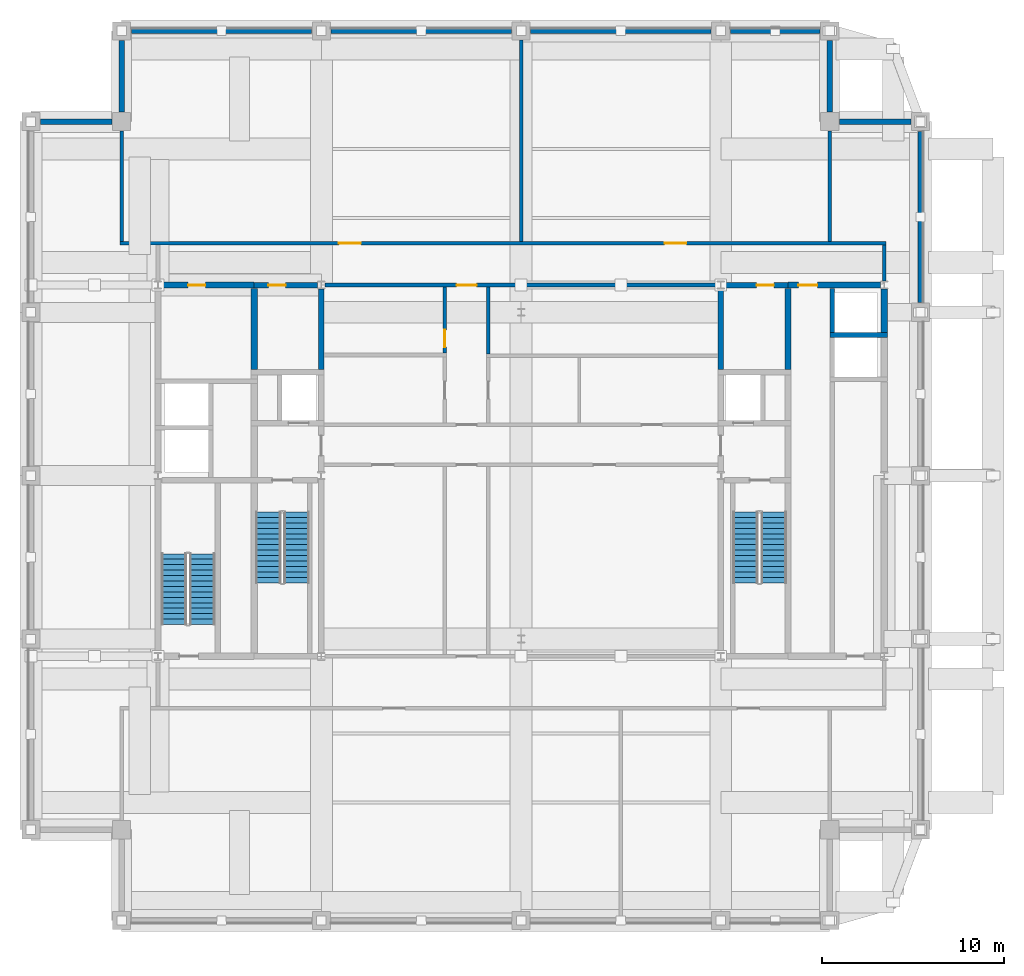
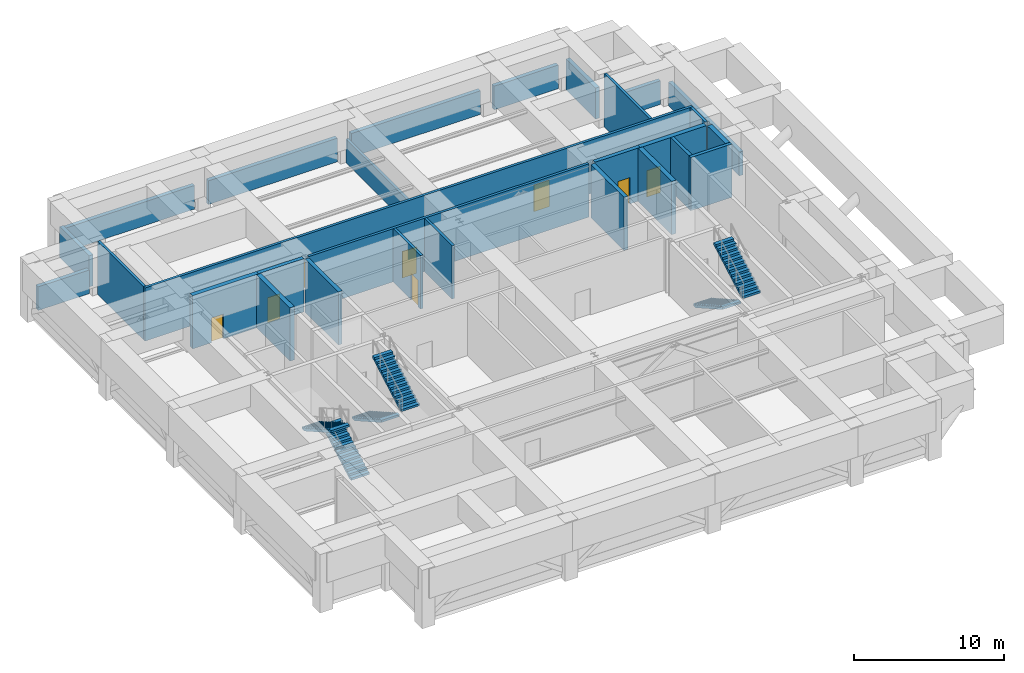
# One storey, part 5 of 9: 28 walls, 8 doors, 6 stair flights, 8 openings, 3 elements without a shape of their own.
"""IFC4 building model written with IfcOpenShell, lengths in metres."""

from ifc_helpers import new_model, si_unit, direction, frame, frame_2d, origin, place, context, subcontext, project, spatial, polyline, rectangle, outline, extrude, material, layer, layer_set, type_object, element, fill, aggregate, save


model = new_model("IFC4")

# Units and contexts
model_context = context("Model", 3, precision=1e-05, world=origin(), true_north=direction((0.0, 1.0)))
body_context = subcontext(model_context, "Body", "Model", "MODEL_VIEW")
ifc_project = project(units=[si_unit("LENGTHUNIT", "METRE"), si_unit("AREAUNIT", "SQUARE_METRE"), si_unit("VOLUMEUNIT", "CUBIC_METRE"), si_unit("PLANEANGLEUNIT", "RADIAN"), si_unit("MASSUNIT", "GRAM", prefix="KILO")], contexts=[model_context])

# Site, building, storey
site_placement = place(None, origin())
site = spatial("IfcSite", under=ifc_project, at=site_placement, CompositionType="ELEMENT")
building_placement = place(site_placement, origin())
building = spatial("IfcBuilding", under=site, at=building_placement, Name="Zulmaris Gate Convention Tower", CompositionType="ELEMENT")
storey_placement = place(building_placement, frame((0.0, 0.0, 222.06005859375)))
storey = spatial("IfcBuildingStorey", under=building, at=storey_placement, Name="L58", CompositionType="ELEMENT", Elevation=222.06005859375)

# Walls
ifc_material_1 = material(Name="Concrete C50/60", Category="concrete")
ifc_layer_1 = layer(ifc_material_1, 0.25, Name="Concrete C50/60")
ifc_layer_set_1 = layer_set([ifc_layer_1], Name="Concrete C50/60")
wall_type_1 = type_object("IfcWallType", Name="CORE-250", PredefinedType="SOLIDWALL", material=ifc_layer_set_1)
wall_1_placement = place(storey_placement, frame((17.02490234375, 7.75, 0.0), z_axis=(0.0, 0.0, 1.0), x_axis=(1.0, 0.0, 0.0)))
element("IfcWall", 1, at=wall_1_placement, inside=storey, type_object=wall_type_1, Name="WL-L58-014", PredefinedType="SOLIDWALL", context=body_context, shape_type="SweptSolid", body=[
    extrude(rectangle(XDim=3.150146484375, YDim=0.25, at=frame_2d((1.5751953125, 0.0))), origin(), (0.0, 0.0, 1.0), 4.3349609375),
])
wall_2_placement = place(storey_placement, frame((17.14990234375, 7.876953125, 0.0), z_axis=(0.0, 0.0, 1.0), x_axis=(0.0, 1.0, 0.0)))
element("IfcWall", 2, at=wall_2_placement, inside=storey, type_object=wall_type_1, Name="WL-L58-057", PredefinedType="SOLIDWALL", context=body_context, shape_type="SweptSolid", body=[
    extrude(rectangle(XDim=2.446044921875, YDim=0.25, at=frame_2d((1.22314453125, 0.0))), origin(), (0.0, 0.0, 1.0), 4.3349609375),
])

# Wall, opening, door
ifc_layer_2 = layer(ifc_material_1, 0.300048828125, Name="Concrete C50/60")
ifc_layer_set_2 = layer_set([ifc_layer_2], Name="Concrete C50/60")
wall_type_2 = type_object("IfcWallType", Name="CORE-300", PredefinedType="SHEAR", material=ifc_layer_set_2)
wall_3_placement = place(storey_placement, frame((-14.699951171875, 10.5, 0.0), z_axis=(0.0, 0.0, 1.0), x_axis=(1.0, 0.0, 0.0)))
wall_3 = element("IfcWall", 3, at=wall_3_placement, inside=storey, type_object=wall_type_2, Name="WL-L58-016", PredefinedType="SHEAR", context=body_context, shape_type="SweptSolid", body=[
    extrude(rectangle(XDim=3.489990234375, YDim=0.300048828125, at=frame_2d((1.7451171875, 0.0))), origin(), (0.0, 0.0, 1.0), 4.3349609375),
])
opening_1_placement = place(wall_3_placement, frame((0.77490234375, 0.0, 0.0)))
opening_1 = element("IfcOpeningElement", 4, at=opening_1_placement, cuts=wall_3, Name="Opening D-25", PredefinedType="OPENING", context=body_context, shape_type="SweptSolid", body=[
    extrude(rectangle(XDim=0.949951171875, YDim=2.02001953125, at=frame_2d((0.47509765625, 1.010009765625))), frame((0.0, 0.16015625, 0.0), z_axis=(0.0, -1.0, 0.0), x_axis=(1.0, 0.0, 0.0)), (0.0, 0.0, 1.0), 0.320068359375),
])
ifc_material_2 = material(Name="Fire-Rated Steel", Category="steel")
door_type_1 = type_object("IfcDoorType", Name="DR-950-LOW-FD", OperationType="NOTDEFINED", PredefinedType="DOOR", material=ifc_material_2)
door_1_placement = place(opening_1_placement, origin())
door_1 = element("IfcDoor", 5, at=door_1_placement, inside=storey, type_object=door_type_1, Name="L58 Core Pantry Door 07", OperationType="SINGLE_SWING_LEFT", OverallHeight=2.02001953125, OverallWidth=0.949951171875, PredefinedType="DOOR", context=body_context, shape_type="SweptSolid", body=[
    extrude(rectangle(XDim=0.949951171875, YDim=2.02001953125, at=frame_2d((0.47509765625, 1.010009765625))), frame((0.0, 0.02490234375, 0.0), z_axis=(0.0, -1.0, 0.0), x_axis=(1.0, 0.0, 0.0)), (0.0, 0.0, 1.0), 0.050048828125),
])
fill(opening_1, door_1)

wall_4_placement = place(storey_placement, frame((11.2099609375, 10.5, 0.0), z_axis=(0.0, 0.0, 1.0), x_axis=(1.0, 0.0, 0.0)))
wall_4 = element("IfcWall", 6, at=wall_4_placement, inside=storey, type_object=wall_type_2, Name="WL-L58-017", PredefinedType="SHEAR", context=body_context, shape_type="SweptSolid", body=[
    extrude(rectangle(XDim=3.489990234375, YDim=0.300048828125, at=frame_2d((1.7451171875, 0.0))), origin(), (0.0, 0.0, 1.0), 4.3349609375),
])
opening_2_placement = place(wall_4_placement, frame((1.764892578125, 0.0, 0.0)))
opening_2 = element("IfcOpeningElement", 7, at=opening_2_placement, cuts=wall_4, Name="Opening D-11", PredefinedType="OPENING", context=body_context, shape_type="SweptSolid", body=[
    extrude(rectangle(XDim=0.949951171875, YDim=2.14990234375, at=frame_2d((0.47509765625, 1.074951171875))), frame((0.0, 0.16015625, 0.0), z_axis=(0.0, -1.0, 0.0), x_axis=(1.0, 0.0, 0.0)), (0.0, 0.0, 1.0), 0.320068359375),
])
ifc_material_3 = material(Name="Fire-Rated Timber", Category="wood")
door_type_2 = type_object("IfcDoorType", Name="DR-950-FD", OperationType="NOTDEFINED", PredefinedType="DOOR", material=ifc_material_3)
door_2_placement = place(opening_2_placement, origin())
door_2 = element("IfcDoor", 8, at=door_2_placement, inside=storey, type_object=door_type_2, Name="L58 Core Cleaners Store Door 08", OperationType="SINGLE_SWING_RIGHT", OverallHeight=2.14990234375, OverallWidth=0.949951171875, PredefinedType="DOOR", context=body_context, shape_type="SweptSolid", body=[
    extrude(rectangle(XDim=0.949951171875, YDim=2.14990234375, at=frame_2d((0.47509765625, 1.074951171875))), frame((0.0, 0.02490234375, 0.0), z_axis=(0.0, -1.0, 0.0), x_axis=(1.0, 0.0, 0.0)), (0.0, 0.0, 1.0), 0.050048828125),
])
fill(opening_2, door_2)

# Walls
for number, where, z_axis, x_axis, name in (
    (9, (-11.0, 5.85205078125, 0.0), (0.0, 0.0, 1.0), (0.0, 1.0, 0.0), "WL-L58-044"),
    (10, (11.0, 5.85205078125, 0.0), (0.0, 0.0, 1.0), (0.0, 1.0, 0.0), "WL-L58-048"),
):
    element("IfcWall", number, at=place(storey_placement, frame(where, z_axis=z_axis, x_axis=x_axis)), inside=storey, type_object=wall_type_2, Name=name, PredefinedType="SHEAR", context=body_context, shape_type="SweptSolid", body=[
        extrude(rectangle(XDim=4.426513671875, YDim=0.300048828125, at=frame_2d((2.21337890625, 0.0))), origin(), (0.0, 0.0, 1.0), 4.3349609375),
    ])

# Wall, opening, door
ifc_material_4 = material(Name="Concrete C55/67", Category="concrete")
ifc_layer_3 = layer(ifc_material_4, 0.35009765625, Name="Concrete C55/67")
ifc_layer_set_3 = layer_set([ifc_layer_3], Name="Concrete C55/67")
wall_type_3 = type_object("IfcWallType", Name="CORE-350", PredefinedType="SHEAR", material=ifc_layer_set_3)
wall_5_placement = place(storey_placement, frame((-19.7900390625, 10.5, 0.0), z_axis=(0.0, 0.0, 1.0), x_axis=(1.0, 0.0, 0.0)))
wall_5 = element("IfcWall", 11, at=wall_5_placement, inside=storey, type_object=wall_type_3, Name="WL-L58-015", PredefinedType="SHEAR", context=body_context, shape_type="SweptSolid", body=[
    extrude(rectangle(XDim=5.090087890625, YDim=0.35009765625, at=frame_2d((2.544921875, 0.0))), origin(), (0.0, 0.0, 1.0), 4.3349609375),
])
opening_3_placement = place(wall_5_placement, frame((1.445068359375, 0.0, 0.0)))
opening_3 = element("IfcOpeningElement", 12, at=opening_3_placement, cuts=wall_5, Name="Opening D-25", PredefinedType="OPENING", context=body_context, shape_type="SweptSolid", body=[
    extrude(rectangle(XDim=0.949951171875, YDim=2.02001953125, at=frame_2d((0.47509765625, 1.010009765625))), frame((0.0, 0.18505859375, 0.0), z_axis=(0.0, -1.0, 0.0), x_axis=(1.0, 0.0, 0.0)), (0.0, 0.0, 1.0), 0.3701171875),
])
door_3_placement = place(opening_3_placement, origin())
door_3 = element("IfcDoor", 13, at=door_3_placement, inside=storey, type_object=door_type_1, Name="L58 West Core Mechanical Store Door 10", OperationType="SINGLE_SWING_RIGHT", OverallHeight=2.02001953125, OverallWidth=0.949951171875, PredefinedType="DOOR", context=body_context, shape_type="SweptSolid", body=[
    extrude(rectangle(XDim=0.949951171875, YDim=2.02001953125, at=frame_2d((0.47509765625, 1.010009765625))), frame((0.0, 0.02490234375, 0.0), z_axis=(0.0, -1.0, 0.0), x_axis=(1.0, 0.0, 0.0)), (0.0, 0.0, 1.0), 0.050048828125),
])
fill(opening_3, door_3)

wall_6_placement = place(storey_placement, frame((14.699951171875, 10.5, 0.0), z_axis=(0.0, 0.0, 1.0), x_axis=(1.0, 0.0, 0.0)))
wall_6 = element("IfcWall", 14, at=wall_6_placement, inside=storey, type_object=wall_type_3, Name="WL-L58-018", PredefinedType="SHEAR", context=body_context, shape_type="SweptSolid", body=[
    extrude(rectangle(XDim=5.090087890625, YDim=0.35009765625, at=frame_2d((2.544921875, 0.0))), origin(), (0.0, 0.0, 1.0), 4.3349609375),
])
opening_4_placement = place(wall_6_placement, frame((0.574951171875, 0.0, 0.0)))
opening_4 = element("IfcOpeningElement", 15, at=opening_4_placement, cuts=wall_6, Name="Opening D-09", PredefinedType="OPENING", context=body_context, shape_type="SweptSolid", body=[
    extrude(rectangle(XDim=1.050048828125, YDim=2.14990234375, at=frame_2d((0.52490234375, 1.074951171875))), frame((0.0, 0.18505859375, 0.0), z_axis=(0.0, -1.0, 0.0), x_axis=(1.0, 0.0, 0.0)), (0.0, 0.0, 1.0), 0.3701171875),
])
door_type_3 = type_object("IfcDoorType", Name="DR-1050-FD", OperationType="NOTDEFINED", PredefinedType="DOOR", material=ifc_material_2)
door_4_placement = place(opening_4_placement, origin())
door_4 = element("IfcDoor", 16, at=door_4_placement, inside=storey, type_object=door_type_3, Name="L58 East Mechanical Riser Door 11", OperationType="SINGLE_SWING_LEFT", OverallHeight=2.14990234375, OverallWidth=1.050048828125, PredefinedType="DOOR", context=body_context, shape_type="SweptSolid", body=[
    extrude(rectangle(XDim=1.050048828125, YDim=2.14990234375, at=frame_2d((0.52490234375, 1.074951171875))), frame((0.0, 0.02490234375, 0.0), z_axis=(0.0, -1.0, 0.0), x_axis=(1.0, 0.0, 0.0)), (0.0, 0.0, 1.0), 0.050048828125),
])
fill(opening_4, door_4)

# Walls
for number, where, z_axis, x_axis, name in (
    (17, (-14.699951171875, 5.85205078125, 0.0), (0.0, 0.0, 1.0), (0.0, 1.0, 0.0), "WL-L58-038"),
    (18, (14.699951171875, 5.85205078125, 0.0), (0.0, 0.0, 1.0), (0.0, 1.0, 0.0), "WL-L58-054"),
):
    element("IfcWall", number, at=place(storey_placement, frame(where, z_axis=z_axis, x_axis=x_axis)), inside=storey, type_object=wall_type_3, Name=name, PredefinedType="SHEAR", context=body_context, shape_type="SweptSolid", body=[
        extrude(rectangle(XDim=4.470947265625, YDim=0.35009765625, at=frame_2d((2.2353515625, 0.0))), origin(), (0.0, 0.0, 1.0), 4.3349609375),
    ])
wall_7_placement = place(storey_placement, frame((20.0, 7.876953125, 0.0), z_axis=(0.0, 0.0, 1.0), x_axis=(0.0, 1.0, 0.0)))
element("IfcWall", 19, at=wall_7_placement, inside=storey, type_object=wall_type_3, Name="WL-L58-060", PredefinedType="SHEAR", context=body_context, shape_type="SweptSolid", body=[
    extrude(rectangle(XDim=2.401611328125, YDim=0.35009765625, at=frame_2d((1.20068359375, 0.0))), origin(), (0.0, 0.0, 1.0), 4.3349609375),
])

# Wall, opening, door
ifc_material_5 = material(Name="Autoclaved Aerated Concrete Block and Plasterboard", Category="concrete")
ifc_layer_4 = layer(ifc_material_5, 0.199951171875, Name="Autoclaved Aerated Concrete Block and Plasterboard")
ifc_layer_set_4 = layer_set([ifc_layer_4], Name="Autoclaved Aerated Concrete Block and Plasterboard")
wall_type_4 = type_object("IfcWallType", Name="PART-200", PredefinedType="PARTITIONING", material=ifc_layer_set_4)
wall_8_placement = place(storey_placement, frame((-10.7880859375, 10.5, 0.0), z_axis=(0.0, 0.0, 1.0), x_axis=(1.0, 0.0, 0.0)))
wall_8 = element("IfcWall", 20, at=wall_8_placement, inside=storey, type_object=wall_type_4, Name="WL-L58-025", PredefinedType="PARTITIONING", context=body_context, shape_type="SweptSolid", body=[
    extrude(rectangle(XDim=21.576171875, YDim=0.199951171875, at=frame_2d((10.7880859375, 0.0))), origin(), (0.0, 0.0, 1.0), 4.3349609375),
])
opening_5_placement = place(wall_8_placement, frame((7.238037109375, 0.0, 0.0)))
opening_5 = element("IfcOpeningElement", 21, at=opening_5_placement, cuts=wall_8, Name="Opening D-08", PredefinedType="OPENING", context=body_context, shape_type="SweptSolid", body=[
    extrude(rectangle(XDim=1.10009765625, YDim=2.14990234375, at=frame_2d((0.550048828125, 1.074951171875))), frame((0.0, 0.10986328125, 0.0), z_axis=(0.0, -1.0, 0.0), x_axis=(1.0, 0.0, 0.0)), (0.0, 0.0, 1.0), 0.219970703125),
])
door_type_4 = type_object("IfcDoorType", Name="DR-1100-FD", OperationType="NOTDEFINED", PredefinedType="DOOR", material=ifc_material_2)
door_5_placement = place(opening_5_placement, origin())
door_5 = element("IfcDoor", 22, at=door_5_placement, inside=storey, type_object=door_type_4, Name="L58 North Cross Corridor Link Door 14", OperationType="SINGLE_SWING_RIGHT", OverallHeight=2.14990234375, OverallWidth=1.10009765625, PredefinedType="DOOR", context=body_context, shape_type="SweptSolid", body=[
    extrude(rectangle(XDim=1.10009765625, YDim=2.14990234375, at=frame_2d((0.550048828125, 1.074951171875))), frame((0.0, 0.02490234375, 0.0), z_axis=(0.0, -1.0, 0.0), x_axis=(1.0, 0.0, 0.0)), (0.0, 0.0, 1.0), 0.050048828125),
])
fill(opening_5, door_5)

# Wall, openings, doors
wall_9_placement = place(storey_placement, frame((-22.10009765625, 12.800048828125, 0.0), z_axis=(0.0, 0.0, 1.0), x_axis=(1.0, 0.0, 0.0)))
wall_9 = element("IfcWall", 23, at=wall_9_placement, inside=storey, type_object=wall_type_4, Name="WL-L58-026", PredefinedType="PARTITIONING", context=body_context, shape_type="SweptSolid", body=[
    extrude(rectangle(XDim=42.2001953125, YDim=0.199951171875, at=frame_2d((21.10009765625, 0.0))), origin(), (0.0, 0.0, 1.0), 4.3349609375),
])
opening_6_placement = place(wall_9_placement, frame((12.070068359375, 0.0, 0.0)))
opening_6 = element("IfcOpeningElement", 24, at=opening_6_placement, cuts=wall_9, Name="Opening D-13", PredefinedType="OPENING", context=body_context, shape_type="SweptSolid", body=[
    extrude(rectangle(XDim=1.199951171875, YDim=2.14990234375, at=frame_2d((0.60009765625, 1.074951171875))), frame((0.0, 0.10986328125, 0.0), z_axis=(0.0, -1.0, 0.0), x_axis=(1.0, 0.0, 0.0)), (0.0, 0.0, 1.0), 0.219970703125),
])
opening_7_placement = place(wall_9_placement, frame((30.0, 0.0, 0.0)))
opening_7 = element("IfcOpeningElement", 25, at=opening_7_placement, cuts=wall_9, Name="Opening D-13", PredefinedType="OPENING", context=body_context, shape_type="SweptSolid", body=[
    extrude(rectangle(XDim=1.199951171875, YDim=2.14990234375, at=frame_2d((0.60009765625, 1.074951171875))), frame((0.0, 0.10986328125, 0.0), z_axis=(0.0, -1.0, 0.0), x_axis=(1.0, 0.0, 0.0)), (0.0, 0.0, 1.0), 0.219970703125),
])
door_type_5 = type_object("IfcDoorType", Name="DR-1200-FD", OperationType="NOTDEFINED", PredefinedType="DOOR", material=ifc_material_2)
door_6_placement = place(opening_6_placement, origin())
door_6 = element("IfcDoor", 26, at=door_6_placement, inside=storey, type_object=door_type_5, Name="L58 Chiller Plant Door 19", OperationType="SINGLE_SWING_LEFT", OverallHeight=2.14990234375, OverallWidth=1.199951171875, PredefinedType="DOOR", context=body_context, shape_type="SweptSolid", body=[
    extrude(rectangle(XDim=1.199951171875, YDim=2.14990234375, at=frame_2d((0.60009765625, 1.074951171875))), frame((0.0, 0.02490234375, 0.0), z_axis=(0.0, -1.0, 0.0), x_axis=(1.0, 0.0, 0.0)), (0.0, 0.0, 1.0), 0.050048828125),
])
fill(opening_6, door_6)
door_7_placement = place(opening_7_placement, origin())
door_7 = element("IfcDoor", 27, at=door_7_placement, inside=storey, type_object=door_type_5, Name="L58 AHU Plant Door 20", OperationType="SINGLE_SWING_RIGHT", OverallHeight=2.14990234375, OverallWidth=1.199951171875, PredefinedType="DOOR", context=body_context, shape_type="SweptSolid", body=[
    extrude(rectangle(XDim=1.199951171875, YDim=2.14990234375, at=frame_2d((0.60009765625, 1.074951171875))), frame((0.0, 0.02490234375, 0.0), z_axis=(0.0, -1.0, 0.0), x_axis=(1.0, 0.0, 0.0)), (0.0, 0.0, 1.0), 0.050048828125),
])
fill(opening_7, door_7)

# Wall
wall_10_placement = place(storey_placement, frame((-22.0, 12.903076171875, 0.0), z_axis=(0.0, 0.0, 1.0), x_axis=(0.0, 1.0, 0.0)))
element("IfcWall", 28, at=wall_10_placement, inside=storey, type_object=wall_type_4, Name="WL-L58-062", PredefinedType="PARTITIONING", context=body_context, shape_type="SweptSolid", body=[
    extrude(rectangle(XDim=6.0908203125, YDim=0.199951171875, at=frame_2d((3.04541015625, 0.0))), origin(), (0.0, 0.0, 1.0), 4.3349609375),
])

# Wall, opening, door
wall_11_placement = place(storey_placement, frame((-4.199951171875, 6.7529296875, 0.0), z_axis=(0.0, 0.0, 1.0), x_axis=(0.0, 1.0, 0.0)))
wall_11 = element("IfcWall", 29, at=wall_11_placement, inside=storey, type_object=wall_type_4, Name="WL-L58-067", PredefinedType="PARTITIONING", context=body_context, shape_type="SweptSolid", body=[
    extrude(rectangle(XDim=3.64404296875, YDim=0.199951171875, at=frame_2d((1.822021484375, 0.0))), origin(), (0.0, 0.0, 1.0), 4.3349609375),
])
opening_8_placement = place(wall_11_placement, frame((0.322021484375, 0.0, 0.0)))
opening_8 = element("IfcOpeningElement", 30, at=opening_8_placement, cuts=wall_11, Name="Opening D-11", PredefinedType="OPENING", context=body_context, shape_type="SweptSolid", body=[
    extrude(rectangle(XDim=0.949951171875, YDim=2.14990234375, at=frame_2d((0.47509765625, 1.074951171875))), frame((0.0, 0.10986328125, 0.0), z_axis=(0.0, -1.0, 0.0), x_axis=(1.0, 0.0, 0.0)), (0.0, 0.0, 1.0), 0.219970703125),
])
door_8_placement = place(opening_8_placement, origin())
door_8 = element("IfcDoor", 31, at=door_8_placement, inside=storey, type_object=door_type_2, Name="L58 Smoke Fan Plant Door 24", OperationType="SINGLE_SWING_RIGHT", OverallHeight=2.14990234375, OverallWidth=0.949951171875, PredefinedType="DOOR", context=body_context, shape_type="SweptSolid", body=[
    extrude(rectangle(XDim=0.949951171875, YDim=2.14990234375, at=frame_2d((0.47509765625, 1.074951171875))), frame((0.0, 0.02490234375, 0.0), z_axis=(0.0, -1.0, 0.0), x_axis=(1.0, 0.0, 0.0)), (0.0, 0.0, 1.0), 0.050048828125),
])
fill(opening_8, door_8)

# Walls
wall_12_placement = place(storey_placement, frame((-1.800048828125, 6.702880859375, 0.0), z_axis=(0.0, 0.0, 1.0), x_axis=(0.0, 1.0, 0.0)))
element("IfcWall", 32, at=wall_12_placement, inside=storey, type_object=wall_type_4, Name="WL-L58-070", PredefinedType="PARTITIONING", context=body_context, shape_type="SweptSolid", body=[
    extrude(rectangle(XDim=3.694091796875, YDim=0.199951171875, at=frame_2d((1.84716796875, 0.0))), origin(), (0.0, 0.0, 1.0), 4.3349609375),
])
wall_13_placement = place(storey_placement, frame((0.0, 12.903076171875, 0.0), z_axis=(0.0, 0.0, 1.0), x_axis=(0.0, 1.0, 0.0)))
element("IfcWall", 33, at=wall_13_placement, inside=storey, type_object=wall_type_4, Name="WL-L58-071", PredefinedType="PARTITIONING", context=body_context, shape_type="SweptSolid", body=[
    extrude(rectangle(XDim=11.0908203125, YDim=0.199951171875, at=frame_2d((5.54541015625, 0.0))), origin(), (0.0, 0.0, 1.0), 1.927001953125),
])
wall_14_placement = place(storey_placement, frame((17.0, 12.903076171875, 0.0), z_axis=(0.0, 0.0, 1.0), x_axis=(0.0, 1.0, 0.0)))
element("IfcWall", 34, at=wall_14_placement, inside=storey, type_object=wall_type_4, Name="WL-L58-075", PredefinedType="PARTITIONING", context=body_context, shape_type="SweptSolid", body=[
    extrude(rectangle(XDim=6.0908203125, YDim=0.199951171875, at=frame_2d((3.04541015625, 0.0))), origin(), (0.0, 0.0, 1.0), 4.3349609375),
])
wall_15_placement = place(storey_placement, frame((20.0, 10.723388671875, 0.0), z_axis=(0.0, 0.0, 1.0), x_axis=(0.0, 1.0, 0.0)))
element("IfcWall", 35, at=wall_15_placement, inside=storey, type_object=wall_type_4, Name="WL-L58-077", PredefinedType="PARTITIONING", context=body_context, shape_type="SweptSolid", body=[
    extrude(rectangle(XDim=1.9736328125, YDim=0.199951171875, at=frame_2d((0.98681640625, 0.0))), origin(), (0.0, 0.0, 1.0), 4.3349609375),
])
ifc_material_6 = material(Name="Precast concrete C40/50", Category="concrete")
ifc_layer_5 = layer(ifc_material_6, 0.300048828125, Name="Precast concrete C40/50")
ifc_layer_set_5 = layer_set([ifc_layer_5], Name="Precast concrete C40/50")
wall_type_5 = type_object("IfcWallType", Name="PRECAST-PIER-300", PredefinedType="STANDARD", material=ifc_layer_set_5)
wall_16_placement = place(storey_placement, frame((21.469970703125, 19.5, 0.0), z_axis=(0.0, 0.0, 1.0), x_axis=(-1.0, 0.0, 0.0)))
element("IfcWall", 36, at=wall_16_placement, inside=storey, type_object=wall_type_5, Name="EW-L58-NOTCH-NE1_0", PredefinedType="STANDARD", context=body_context, shape_type="SweptSolid", body=[
    extrude(rectangle(XDim=3.93994140625, YDim=0.300048828125, at=frame_2d((1.969970703125, 0.0))), origin(), (0.0, 0.0, 1.0), 1.927001953125),
])
for number, where, z_axis, x_axis, name in (
    (37, (17.0, 20.030029296875, 0.0), (0.0, 0.0, 1.0), (0.0, 1.0, 0.0), "EW-L58-NOTCH-NE2_0"),
    (38, (-22.0, 23.969970703125, 0.0), (0.0, 0.0, 1.0), (0.0, -1.0, 0.0), "EW-L58-NOTCH-NW1_0"),
):
    element("IfcWall", number, at=place(storey_placement, frame(where, z_axis=z_axis, x_axis=x_axis)), inside=storey, type_object=wall_type_5, Name=name, PredefinedType="STANDARD", context=body_context, shape_type="SweptSolid", body=[
        extrude(rectangle(XDim=3.93994140625, YDim=0.300048828125, at=frame_2d((1.969970703125, 0.0))), origin(), (0.0, 0.0, 1.0), 2.527099609375),
    ])
wall_17_placement = place(storey_placement, frame((-22.530029296875, 19.5, 0.0), z_axis=(0.0, 0.0, 1.0), x_axis=(-1.0, 0.0, 0.0)))
element("IfcWall", 39, at=wall_17_placement, inside=storey, type_object=wall_type_5, Name="EW-L58-NOTCH-NW2_0", PredefinedType="STANDARD", context=body_context, shape_type="SweptSolid", body=[
    extrude(rectangle(XDim=3.93994140625, YDim=0.300048828125, at=frame_2d((1.969970703125, 0.0))), origin(), (0.0, 0.0, 1.0), 1.927001953125),
])
for number, where, z_axis, x_axis, name in (
    (40, (-11.530029296875, 24.5, 0.0), (0.0, 0.0, 1.0), (-1.0, 0.0, 0.0), "EW-L58-N-0_0"),
    (41, (-0.530029296875, 24.5, 0.0), (0.0, 0.0, 1.0), (-1.0, 0.0, 0.0), "EW-L58-N-1_0"),
    (42, (10.469970703125, 24.5, 0.0), (0.0, 0.0, 1.0), (-1.0, 0.0, 0.0), "EW-L58-N-2_0"),
):
    element("IfcWall", number, at=place(storey_placement, frame(where, z_axis=z_axis, x_axis=x_axis)), inside=storey, type_object=wall_type_5, Name=name, PredefinedType="STANDARD", context=body_context, shape_type="SweptSolid", body=[
        extrude(rectangle(XDim=9.93994140625, YDim=0.300048828125, at=frame_2d((4.969970703125, 0.0))), origin(), (0.0, 0.0, 1.0), 1.927001953125),
    ])
wall_18_placement = place(storey_placement, frame((16.469970703125, 24.5, 0.0), z_axis=(0.0, 0.0, 1.0), x_axis=(-1.0, 0.0, 0.0)))
element("IfcWall", 43, at=wall_18_placement, inside=storey, type_object=wall_type_5, Name="EW-L58-N-3_0", PredefinedType="STANDARD", context=body_context, shape_type="SweptSolid", body=[
    extrude(rectangle(XDim=4.93994140625, YDim=0.300048828125, at=frame_2d((2.469970703125, 0.0))), origin(), (0.0, 0.0, 1.0), 1.927001953125),
])
wall_19_placement = place(storey_placement, frame((22.0, 9.530029296875, 0.0), z_axis=(0.0, 0.0, 1.0), x_axis=(0.0, 1.0, 0.0)))
element("IfcWall", 44, at=wall_19_placement, inside=storey, type_object=wall_type_5, Name="EW-L58-E-3_0", PredefinedType="STANDARD", context=body_context, shape_type="SweptSolid", body=[
    extrude(rectangle(XDim=9.43994140625, YDim=0.300048828125, at=frame_2d((4.719970703125, 0.0))), origin(), (0.0, 0.0, 1.0), 1.927001953125),
])

# Stair, stair flights
ifc_material_7 = material(Name="Concrete C45/55", Category="concrete")
stair_type = type_object("IfcStairType", Name="ST-CORE-DOGLEG", PredefinedType="HALF_TURN_STAIR", material=ifc_material_7)
stair_1_placement = place(storey_placement, origin())
stair_1 = element("IfcStair", 45, at=stair_1_placement, inside=storey, type_object=stair_type, Name="L58 Core Exit Stair ST-1", PredefinedType="HALF_TURN_STAIR")
ifc_layer_6 = layer(ifc_material_7, 0.14990234375, Name="Concrete C45/55")
ifc_layer_set_6 = layer_set([ifc_layer_6], Name="Concrete C45/55")
stair_flight_type = type_object("IfcStairFlightType", Name="STF-RC150", PredefinedType="STRAIGHT", material=ifc_layer_set_6)
stair_flight_1_placement = place(storey_placement, frame((-13.919921875, -2.0, 0.0), z_axis=(0.0, 0.0, 1.0), x_axis=(0.0, -1.0, 0.0)))
stair_flight_1 = element("IfcStairFlight", 46, at=stair_flight_1_placement, type_object=stair_flight_type, Name="ST-1 flight 1", NumberOfRisers=14, NumberOfTreads=13, PredefinedType="STRAIGHT", RiserHeight=0.17, TreadLength=0.3, context=body_context, shape_type="SweptSolid", body=[
    extrude(outline(polyline([(0.0, 0.0), (0.0, 0.169921875), (0.300048828125, 0.169921875), (0.300048828125, 0.340087890625), (0.60009765625, 0.340087890625), (0.60009765625, 0.510009765625), (0.89990234375, 0.510009765625), (0.89990234375, 0.679931640625), (1.199951171875, 0.679931640625), (1.199951171875, 0.85009765625), (1.5, 0.85009765625), (1.5, 1.02001953125), (1.800048828125, 1.02001953125), (1.800048828125, 1.18994140625), (2.10009765625, 1.18994140625), (2.10009765625, 1.360107421875), (2.39990234375, 1.360107421875), (2.39990234375, 1.530029296875), (2.699951171875, 1.530029296875), (2.699951171875, 1.699951171875), (3.0, 1.699951171875), (3.0, 1.8701171875), (3.300048828125, 1.8701171875), (3.300048828125, 2.0400390625), (3.60009765625, 2.0400390625), (3.60009765625, 2.2099609375), (3.89990234375, 2.2099609375), (3.89990234375, 2.3798828125), (3.89990234375, 2.03759765625), (0.303955078125, 0.0), (0.0, 0.0)])), frame((0.0, 0.699951171875, 0.0), z_axis=(0.0, -1.0, 0.0), x_axis=(1.0, 0.0, 0.0)), (0.0, 0.0, 1.0), 1.39990234375),
])
stair_flight_2_placement = place(storey_placement, frame((-12.360107421875, -5.89990234375, 2.380126953125), z_axis=(0.0, 0.0, 1.0), x_axis=(0.0, 1.0, 0.0)))
stair_flight_2 = element("IfcStairFlight", 47, at=stair_flight_2_placement, type_object=stair_flight_type, Name="ST-1 flight 2", NumberOfRisers=14, NumberOfTreads=13, PredefinedType="STRAIGHT", RiserHeight=0.17, TreadLength=0.3, context=body_context, shape_type="SweptSolid", body=[
    extrude(outline(polyline([(0.0, 0.0), (0.0, 0.169921875), (0.300048828125, 0.169921875), (0.300048828125, 0.340087890625), (0.60009765625, 0.340087890625), (0.60009765625, 0.510009765625), (0.89990234375, 0.510009765625), (0.89990234375, 0.679931640625), (1.199951171875, 0.679931640625), (1.199951171875, 0.85009765625), (1.5, 0.85009765625), (1.5, 1.02001953125), (1.800048828125, 1.02001953125), (1.800048828125, 1.18994140625), (2.10009765625, 1.18994140625), (2.10009765625, 1.360107421875), (2.39990234375, 1.360107421875), (2.39990234375, 1.530029296875), (2.699951171875, 1.530029296875), (2.699951171875, 1.699951171875), (3.0, 1.699951171875), (3.0, 1.8701171875), (3.300048828125, 1.8701171875), (3.300048828125, 2.0400390625), (3.60009765625, 2.0400390625), (3.60009765625, 2.2099609375), (3.89990234375, 2.2099609375), (3.89990234375, 2.3798828125), (3.89990234375, 2.03759765625), (0.303955078125, 0.0), (0.0, 0.0)])), frame((0.0, 0.699951171875, 0.0), z_axis=(0.0, -1.0, 0.0), x_axis=(1.0, 0.0, 0.0)), (0.0, 0.0, 1.0), 1.39990234375),
])
aggregate(stair_1, [stair_flight_1, stair_flight_2])

stair_2_placement = place(storey_placement, origin())
stair_2 = element("IfcStair", 48, at=stair_2_placement, inside=storey, type_object=stair_type, Name="L58 Core Exit Stair ST-2", PredefinedType="HALF_TURN_STAIR")
stair_flight_3_placement = place(storey_placement, frame((12.360107421875, -2.0, 0.0), z_axis=(0.0, 0.0, 1.0), x_axis=(0.0, -1.0, 0.0)))
stair_flight_3 = element("IfcStairFlight", 49, at=stair_flight_3_placement, type_object=stair_flight_type, Name="ST-2 flight 1", NumberOfRisers=14, NumberOfTreads=13, PredefinedType="STRAIGHT", RiserHeight=0.17, TreadLength=0.3, context=body_context, shape_type="SweptSolid", body=[
    extrude(outline(polyline([(0.0, 0.0), (0.0, 0.169921875), (0.300048828125, 0.169921875), (0.300048828125, 0.340087890625), (0.60009765625, 0.340087890625), (0.60009765625, 0.510009765625), (0.89990234375, 0.510009765625), (0.89990234375, 0.679931640625), (1.199951171875, 0.679931640625), (1.199951171875, 0.85009765625), (1.5, 0.85009765625), (1.5, 1.02001953125), (1.800048828125, 1.02001953125), (1.800048828125, 1.18994140625), (2.10009765625, 1.18994140625), (2.10009765625, 1.360107421875), (2.39990234375, 1.360107421875), (2.39990234375, 1.530029296875), (2.699951171875, 1.530029296875), (2.699951171875, 1.699951171875), (3.0, 1.699951171875), (3.0, 1.8701171875), (3.300048828125, 1.8701171875), (3.300048828125, 2.0400390625), (3.60009765625, 2.0400390625), (3.60009765625, 2.2099609375), (3.89990234375, 2.2099609375), (3.89990234375, 2.3798828125), (3.89990234375, 2.03759765625), (0.303955078125, 0.0), (0.0, 0.0)])), frame((0.0, 0.699951171875, 0.0), z_axis=(0.0, -1.0, 0.0), x_axis=(1.0, 0.0, 0.0)), (0.0, 0.0, 1.0), 1.39990234375),
])
stair_flight_4_placement = place(storey_placement, frame((13.919921875, -5.89990234375, 2.380126953125), z_axis=(0.0, 0.0, 1.0), x_axis=(0.0, 1.0, 0.0)))
stair_flight_4 = element("IfcStairFlight", 50, at=stair_flight_4_placement, type_object=stair_flight_type, Name="ST-2 flight 2", NumberOfRisers=14, NumberOfTreads=13, PredefinedType="STRAIGHT", RiserHeight=0.17, TreadLength=0.3, context=body_context, shape_type="SweptSolid", body=[
    extrude(outline(polyline([(0.0, 0.0), (0.0, 0.169921875), (0.300048828125, 0.169921875), (0.300048828125, 0.340087890625), (0.60009765625, 0.340087890625), (0.60009765625, 0.510009765625), (0.89990234375, 0.510009765625), (0.89990234375, 0.679931640625), (1.199951171875, 0.679931640625), (1.199951171875, 0.85009765625), (1.5, 0.85009765625), (1.5, 1.02001953125), (1.800048828125, 1.02001953125), (1.800048828125, 1.18994140625), (2.10009765625, 1.18994140625), (2.10009765625, 1.360107421875), (2.39990234375, 1.360107421875), (2.39990234375, 1.530029296875), (2.699951171875, 1.530029296875), (2.699951171875, 1.699951171875), (3.0, 1.699951171875), (3.0, 1.8701171875), (3.300048828125, 1.8701171875), (3.300048828125, 2.0400390625), (3.60009765625, 2.0400390625), (3.60009765625, 2.2099609375), (3.89990234375, 2.2099609375), (3.89990234375, 2.3798828125), (3.89990234375, 2.03759765625), (0.303955078125, 0.0), (0.0, 0.0)])), frame((0.0, 0.699951171875, 0.0), z_axis=(0.0, -1.0, 0.0), x_axis=(1.0, 0.0, 0.0)), (0.0, 0.0, 1.0), 1.39990234375),
])
aggregate(stair_2, [stair_flight_3, stair_flight_4])

stair_3_placement = place(storey_placement, origin())
stair_3 = element("IfcStair", 51, at=stair_3_placement, inside=storey, type_object=stair_type, Name="L58 Core Exit Stair ST-3", PredefinedType="HALF_TURN_STAIR")
stair_flight_5_placement = place(storey_placement, frame((-17.56005859375, -8.199951171875, 0.0), z_axis=(0.0, 0.0, 1.0), x_axis=(0.0, 1.0, 0.0)))
stair_flight_5 = element("IfcStairFlight", 52, at=stair_flight_5_placement, type_object=stair_flight_type, Name="ST-3 flight 1", NumberOfRisers=14, NumberOfTreads=13, PredefinedType="STRAIGHT", RiserHeight=0.17, TreadLength=0.3, context=body_context, shape_type="SweptSolid", body=[
    extrude(outline(polyline([(0.0, 0.0), (0.0, 0.169921875), (0.300048828125, 0.169921875), (0.300048828125, 0.340087890625), (0.60009765625, 0.340087890625), (0.60009765625, 0.510009765625), (0.89990234375, 0.510009765625), (0.89990234375, 0.679931640625), (1.199951171875, 0.679931640625), (1.199951171875, 0.85009765625), (1.5, 0.85009765625), (1.5, 1.02001953125), (1.800048828125, 1.02001953125), (1.800048828125, 1.18994140625), (2.10009765625, 1.18994140625), (2.10009765625, 1.360107421875), (2.39990234375, 1.360107421875), (2.39990234375, 1.530029296875), (2.699951171875, 1.530029296875), (2.699951171875, 1.699951171875), (3.0, 1.699951171875), (3.0, 1.8701171875), (3.300048828125, 1.8701171875), (3.300048828125, 2.0400390625), (3.60009765625, 2.0400390625), (3.60009765625, 2.2099609375), (3.89990234375, 2.2099609375), (3.89990234375, 2.3798828125), (3.89990234375, 2.03759765625), (0.303955078125, 0.0), (0.0, 0.0)])), frame((0.0, 0.699951171875, 0.0), z_axis=(0.0, -1.0, 0.0), x_axis=(1.0, 0.0, 0.0)), (0.0, 0.0, 1.0), 1.39990234375),
])
stair_flight_6_placement = place(storey_placement, frame((-19.1201171875, -4.300048828125, 2.380126953125), z_axis=(0.0, 0.0, 1.0), x_axis=(0.0, -1.0, 0.0)))
stair_flight_6 = element("IfcStairFlight", 53, at=stair_flight_6_placement, type_object=stair_flight_type, Name="ST-3 flight 2", NumberOfRisers=14, NumberOfTreads=13, PredefinedType="STRAIGHT", RiserHeight=0.17, TreadLength=0.3, context=body_context, shape_type="SweptSolid", body=[
    extrude(outline(polyline([(0.0, 0.0), (0.0, 0.169921875), (0.300048828125, 0.169921875), (0.300048828125, 0.340087890625), (0.60009765625, 0.340087890625), (0.60009765625, 0.510009765625), (0.89990234375, 0.510009765625), (0.89990234375, 0.679931640625), (1.199951171875, 0.679931640625), (1.199951171875, 0.85009765625), (1.5, 0.85009765625), (1.5, 1.02001953125), (1.800048828125, 1.02001953125), (1.800048828125, 1.18994140625), (2.10009765625, 1.18994140625), (2.10009765625, 1.360107421875), (2.39990234375, 1.360107421875), (2.39990234375, 1.530029296875), (2.699951171875, 1.530029296875), (2.699951171875, 1.699951171875), (3.0, 1.699951171875), (3.0, 1.8701171875), (3.300048828125, 1.8701171875), (3.300048828125, 2.0400390625), (3.60009765625, 2.0400390625), (3.60009765625, 2.2099609375), (3.89990234375, 2.2099609375), (3.89990234375, 2.3798828125), (3.89990234375, 2.03759765625), (0.303955078125, 0.0), (0.0, 0.0)])), frame((0.0, 0.699951171875, 0.0), z_axis=(0.0, -1.0, 0.0), x_axis=(1.0, 0.0, 0.0)), (0.0, 0.0, 1.0), 1.39990234375),
])
aggregate(stair_3, [stair_flight_5, stair_flight_6])

save(model, "model.ifc")
